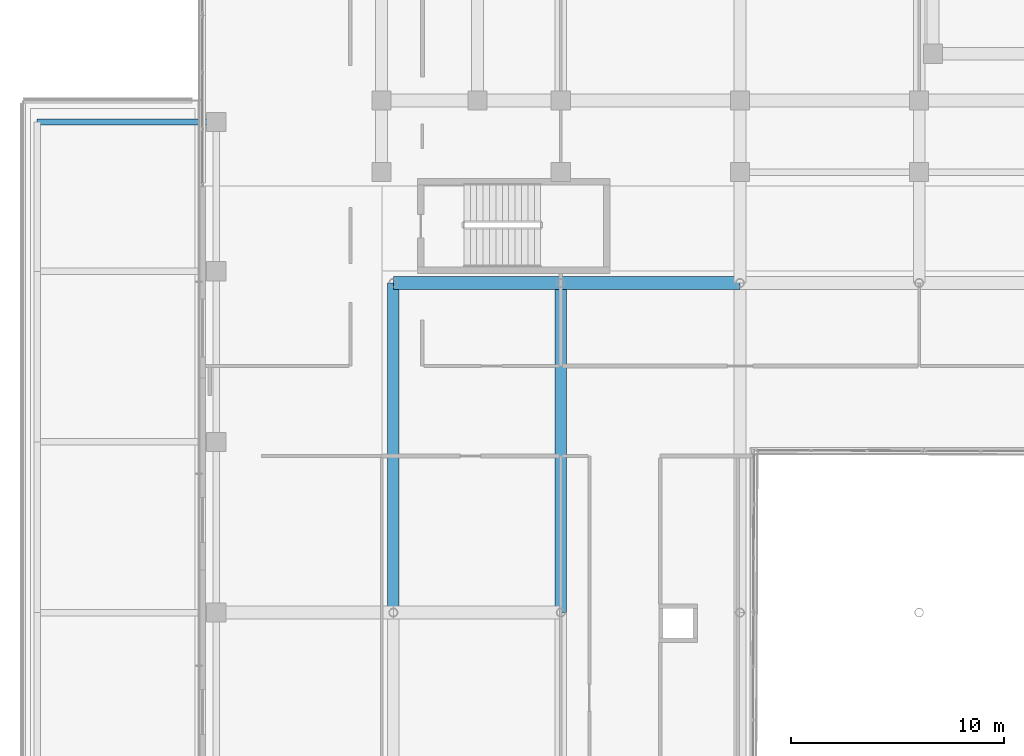
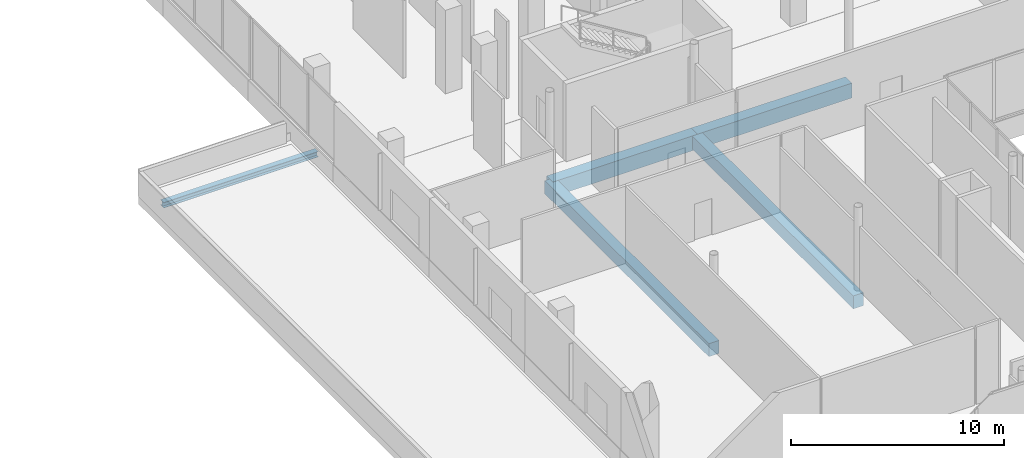
# One storey, part 69 of 168: 5 beams.
"""IFC4 building model written with IfcOpenShell, lengths in metres."""

from ifc_helpers import new_model, si_unit, direction, frame, origin, origin_2d, place, context, subcontext, project, spatial, rectangle, i_section, extrude, material, material_profile, profile_set, type_object, element, save


model = new_model("IFC4")

# Units and contexts
model_context = context("Model", 3, precision=1e-05, world=origin(), true_north=direction((0.0, 1.0)))
body_context = subcontext(model_context, "Body", "Model", "MODEL_VIEW")
ifc_project = project(units=[si_unit("LENGTHUNIT", "METRE"), si_unit("AREAUNIT", "SQUARE_METRE"), si_unit("VOLUMEUNIT", "CUBIC_METRE"), si_unit("PLANEANGLEUNIT", "RADIAN"), si_unit("MASSUNIT", "GRAM", prefix="KILO")], contexts=[model_context])

# Site, building, storey
site_placement = place(None, origin())
site = spatial("IfcSite", under=ifc_project, at=site_placement, CompositionType="ELEMENT")
building_placement = place(site_placement, origin())
building = spatial("IfcBuilding", under=site, at=building_placement, Name="Selatvlak General Hospital", CompositionType="ELEMENT")
storey_placement = place(building_placement, frame((0.0, 0.0, 5.39990234375)))
storey = spatial("IfcBuildingStorey", under=building, at=storey_placement, Name="L01", CompositionType="ELEMENT", Elevation=5.39990234375)

# Beams
ifc_material_1 = material(Name="Steel S355", Category="steel")
ifc_material_profile_1 = material_profile(ifc_material_1, i_section(OverallWidth=0.300048828125, OverallDepth=0.320068359375, WebThickness=0.011474609375, FlangeThickness=0.0205078125, at=origin_2d()), Name="HEB 320")
ifc_profile_set_1 = profile_set([ifc_material_profile_1], Name="Steel S355")
beam_type_1 = type_object("IfcBeamType", Name="BM-CAN", PredefinedType="BEAM", material=ifc_profile_set_1)
beam_1_placement = place(storey_placement, frame((6.64990234375, 91.0, -0.47998046875), z_axis=(1.0, 0.0, 0.0), x_axis=(0.0, 1.0, 0.0)))
element("IfcBeam", 1, at=beam_1_placement, inside=storey, type_object=beam_type_1, Name="Beam BMR-L01-2938", PredefinedType="BEAM", context=body_context, shape_type="SweptSolid", body=[
    extrude(i_section(OverallWidth=0.300048828125, OverallDepth=0.320068359375, WebThickness=0.011474609375, FlangeThickness=0.0205078125, at=origin_2d()), origin(), (0.0, 0.0, 1.0), 8.400146484375),
])
ifc_material_2 = material(Name="Concrete C40/50", Category="concrete")
ifc_material_profile_2 = material_profile(ifc_material_2, rectangle(XDim=0.60009765625, YDim=0.85009765625, at=origin_2d()), Name="RC-BM 600x850")
ifc_profile_set_2 = profile_set([ifc_material_profile_2], Name="Concrete C40/50")
beam_type_2 = type_object("IfcBeamType", Name="BM-G01", PredefinedType="BEAM", material=ifc_profile_set_2)
beam_2_placement = place(storey_placement, frame((23.35009765625, 83.449951171875, -0.744873046875), z_axis=(1.0, 0.0, 0.0), x_axis=(0.0, 1.0, 0.0)))
element("IfcBeam", 2, at=beam_2_placement, inside=storey, type_object=beam_type_2, Name="Beam BMR-L01-0422", PredefinedType="BEAM", context=body_context, shape_type="SweptSolid", body=[
    extrude(rectangle(XDim=0.60009765625, YDim=0.85009765625, at=origin_2d()), origin(), (0.0, 0.0, 1.0), 7.849853515625),
])
beam_3_placement = place(storey_placement, frame((31.199951171875, 83.449951171875, -0.744873046875), z_axis=(1.0, 0.0, 0.0), x_axis=(0.0, 1.0, 0.0)))
element("IfcBeam", 3, at=beam_3_placement, inside=storey, type_object=beam_type_2, Name="Beam BMR-L01-0423", PredefinedType="BEAM", context=body_context, shape_type="SweptSolid", body=[
    extrude(rectangle(XDim=0.60009765625, YDim=0.85009765625, at=origin_2d()), origin(), (0.0, 0.0, 1.0), 8.400146484375),
])
ifc_material_profile_3 = material_profile(ifc_material_2, rectangle(XDim=0.550048828125, YDim=0.75, at=origin_2d()), Name="RC-BM 550x750")
ifc_profile_set_3 = profile_set([ifc_material_profile_3], Name="Concrete C40/50")
beam_type_3 = type_object("IfcBeamType", Name="BM-G02", PredefinedType="BEAM", material=ifc_profile_set_3)
for number, where, z_axis, x_axis, name in (
    (4, (23.35009765625, 68.0, -0.69482421875), (0.0, 1.0, 0.0), (-1.0, 0.0, 0.0), "Beam BMR-L01-0551"),
    (5, (31.199951171875, 68.0, -0.69482421875), (0.0, 1.0, 0.0), (-1.0, 0.0, 0.0), "Beam BMR-L01-0554"),
):
    element("IfcBeam", number, at=place(storey_placement, frame(where, z_axis=z_axis, x_axis=x_axis)), inside=storey, type_object=beam_type_3, Name=name, PredefinedType="BEAM", context=body_context, shape_type="SweptSolid", body=[
        extrude(rectangle(XDim=0.550048828125, YDim=0.75, at=origin_2d()), origin(), (0.0, 0.0, 1.0), 15.449951171875),
    ])

save(model, "model.ifc")
